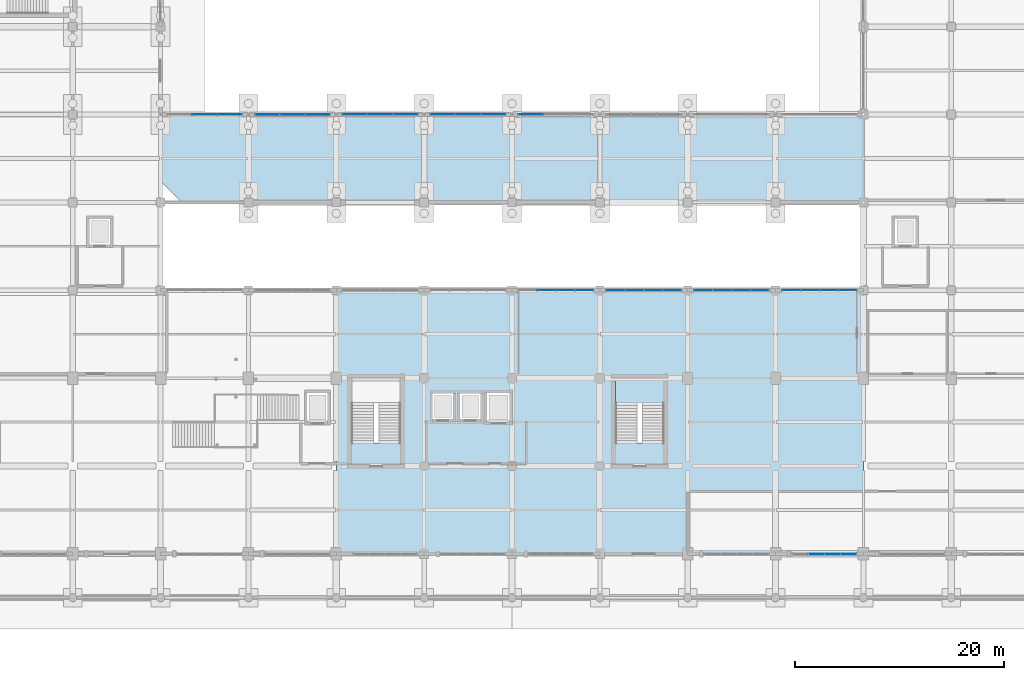
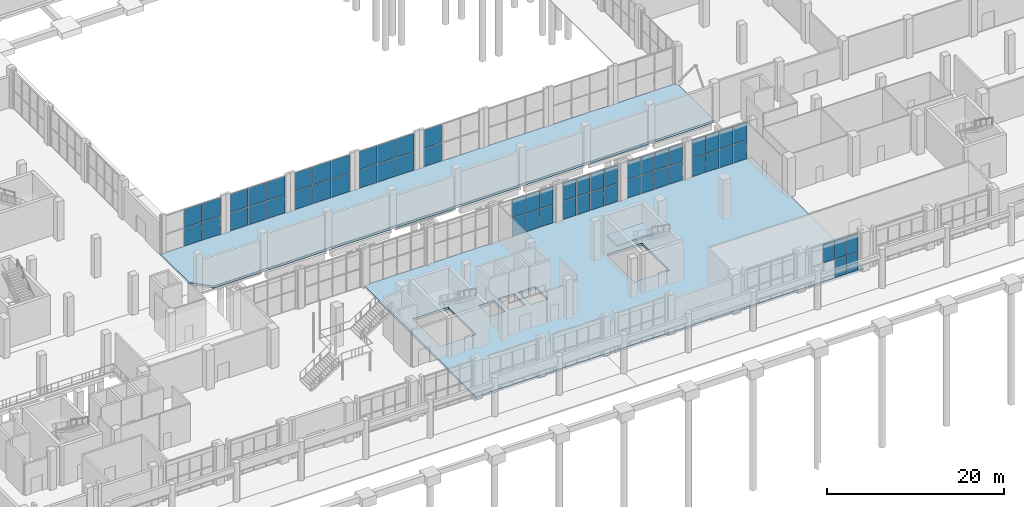
# One storey, part 56 of 82: 59 plates, 3 slabs, 11 elements without a shape of their own.
"""IFC4 building model written with IfcOpenShell, lengths in metres."""

from ifc_helpers import new_model, si_unit, derived_unit, direction, frame, origin, origin_2d, place, context, subcontext, project, spatial, polyline, rectangle, outline, extrude, material, layer, layer_set, type_object, element, aggregate, save


model = new_model("IFC4")

# Units and contexts
model_context = context("Model", 3, precision=1e-05, world=origin(), true_north=direction((0.0, 1.0)))
body_context = subcontext(model_context, "Body", "Model", "MODEL_VIEW")
ifc_project = project(units=[si_unit("LENGTHUNIT", "METRE"), si_unit("AREAUNIT", "SQUARE_METRE"), si_unit("VOLUMEUNIT", "CUBIC_METRE"), si_unit("PLANEANGLEUNIT", "RADIAN"), si_unit("MASSUNIT", "GRAM", prefix="KILO"), derived_unit("THERMALTRANSMITTANCEUNIT", [(si_unit("POWERUNIT", "WATT"), 1), (si_unit("LENGTHUNIT", "METRE"), -2), (si_unit("THERMODYNAMICTEMPERATUREUNIT", "KELVIN"), -1)])], contexts=[model_context])

# Site, building, storey
site_placement = place(None, origin())
site = spatial("IfcSite", under=ifc_project, at=site_placement, CompositionType="ELEMENT")
building_placement = place(site_placement, origin())
building = spatial("IfcBuilding", under=site, at=building_placement, Name="Barrovel Congress Hotel", CompositionType="ELEMENT")
storey_placement = place(building_placement, origin())
storey = spatial("IfcBuildingStorey", under=building, at=storey_placement, Name="L00", CompositionType="ELEMENT", Elevation=0.0)

# Curtain wall, plates
ifc_material_1 = material(Name="Anodised Aluminium Alloy 6063-T6", Category="aluminium")
curtain_wall_type_1 = type_object("IfcCurtainWallType", Name="CW-ST-7200x4800", PredefinedType="USERDEFINED", material=ifc_material_1)
curtain_wall_1_placement = place(storey_placement, origin())
curtain_wall_1 = element("IfcCurtainWall", 1, at=curtain_wall_1_placement, inside=storey, type_object=curtain_wall_type_1, Name="CW:L00:S:14", ObjectType="STICK CURTAIN WALL", PredefinedType="USERDEFINED")
ifc_material_2 = material(Name="Double Low-E Insulated Glazing", Category="glass")
ifc_layer_1 = layer(ifc_material_2, 0.028076171875)
ifc_layer_set_1 = layer_set([ifc_layer_1], Name="Double Low-E Insulated Glazing")
plate_type_1 = type_object("IfcPlateType", Name="CWP-28", PredefinedType="CURTAIN_PANEL", material=ifc_layer_set_1)
plate_1_placement = place(storey_placement, frame((121.514892578125, 4.199951171875, 2.590087890625), z_axis=(0.0, 0.0, 1.0), x_axis=(1.0, 0.0, 0.0)))
plate_1 = element("IfcPlate", 2, at=plate_1_placement, type_object=plate_type_1, Name="CW:L00:S:14:P1-1", PredefinedType="CURTAIN_PANEL", context=body_context, shape_type="SweptSolid", body=[
    extrude(rectangle(XDim=1.469970703125, YDim=0.028076171875, at=origin_2d()), origin(), (0.0, 0.0, 1.0), 2.5),
])
plate_2_placement = place(storey_placement, frame((123.044921875, 4.199951171875, 0.030029296875), z_axis=(0.0, 0.0, 1.0), x_axis=(1.0, 0.0, 0.0)))
plate_2 = element("IfcPlate", 3, at=plate_2_placement, type_object=plate_type_1, Name="CW:L00:S:14:P2-0", PredefinedType="CURTAIN_PANEL", context=body_context, shape_type="SweptSolid", body=[
    extrude(rectangle(XDim=1.469970703125, YDim=0.028076171875, at=origin_2d()), origin(), (0.0, 0.0, 1.0), 2.5),
])
plate_3_placement = place(storey_placement, frame((123.044921875, 4.199951171875, 2.590087890625), z_axis=(0.0, 0.0, 1.0), x_axis=(1.0, 0.0, 0.0)))
plate_3 = element("IfcPlate", 4, at=plate_3_placement, type_object=plate_type_1, Name="CW:L00:S:14:P2-1", PredefinedType="CURTAIN_PANEL", context=body_context, shape_type="SweptSolid", body=[
    extrude(rectangle(XDim=1.469970703125, YDim=0.028076171875, at=origin_2d()), origin(), (0.0, 0.0, 1.0), 2.5),
])
plate_4_placement = place(storey_placement, frame((124.574951171875, 4.199951171875, 0.030029296875), z_axis=(0.0, 0.0, 1.0), x_axis=(1.0, 0.0, 0.0)))
plate_4 = element("IfcPlate", 5, at=plate_4_placement, type_object=plate_type_1, Name="CW:L00:S:14:P3-0", PredefinedType="CURTAIN_PANEL", context=body_context, shape_type="SweptSolid", body=[
    extrude(rectangle(XDim=1.469970703125, YDim=0.028076171875, at=origin_2d()), origin(), (0.0, 0.0, 1.0), 2.5),
])
plate_5_placement = place(storey_placement, frame((124.574951171875, 4.199951171875, 2.590087890625), z_axis=(0.0, 0.0, 1.0), x_axis=(1.0, 0.0, 0.0)))
plate_5 = element("IfcPlate", 6, at=plate_5_placement, type_object=plate_type_1, Name="CW:L00:S:14:P3-1", PredefinedType="CURTAIN_PANEL", context=body_context, shape_type="SweptSolid", body=[
    extrude(rectangle(XDim=1.469970703125, YDim=0.028076171875, at=origin_2d()), origin(), (0.0, 0.0, 1.0), 2.5),
])
aggregate(curtain_wall_1, [plate_1, plate_2, plate_3, plate_4, plate_5])

curtain_wall_2_placement = place(storey_placement, origin())
curtain_wall_2 = element("IfcCurtainWall", 7, at=curtain_wall_2_placement, inside=storey, type_object=curtain_wall_type_1, Name="CW:L00:CS:13", ObjectType="STICK CURTAIN WALL", PredefinedType="USERDEFINED")
plate_6_placement = place(storey_placement, frame((116.10009765625, 29.39990234375, 0.030029296875), z_axis=(0.0, 0.0, 1.0), x_axis=(-1.0, 0.0, 0.0)))
plate_6 = element("IfcPlate", 8, at=plate_6_placement, type_object=plate_type_1, Name="CW:L00:CS:13:P0-0", PredefinedType="CURTAIN_PANEL", context=body_context, shape_type="SweptSolid", body=[
    extrude(rectangle(XDim=1.739990234375, YDim=0.028076171875, at=origin_2d()), origin(), (0.0, 0.0, 1.0), 2.5),
])
plate_7_placement = place(storey_placement, frame((116.10009765625, 29.39990234375, 2.590087890625), z_axis=(0.0, 0.0, 1.0), x_axis=(-1.0, 0.0, 0.0)))
plate_7 = element("IfcPlate", 9, at=plate_7_placement, type_object=plate_type_1, Name="CW:L00:CS:13:P0-1", PredefinedType="CURTAIN_PANEL", context=body_context, shape_type="SweptSolid", body=[
    extrude(rectangle(XDim=1.739990234375, YDim=0.028076171875, at=origin_2d()), origin(), (0.0, 0.0, 1.0), 2.5),
])
plate_8_placement = place(storey_placement, frame((114.300048828125, 29.39990234375, 0.030029296875), z_axis=(0.0, 0.0, 1.0), x_axis=(-1.0, 0.0, 0.0)))
plate_8 = element("IfcPlate", 10, at=plate_8_placement, type_object=plate_type_1, Name="CW:L00:CS:13:P1-0", PredefinedType="CURTAIN_PANEL", context=body_context, shape_type="SweptSolid", body=[
    extrude(rectangle(XDim=1.739990234375, YDim=0.028076171875, at=origin_2d()), origin(), (0.0, 0.0, 1.0), 2.5),
])
plate_9_placement = place(storey_placement, frame((114.300048828125, 29.39990234375, 2.590087890625), z_axis=(0.0, 0.0, 1.0), x_axis=(-1.0, 0.0, 0.0)))
plate_9 = element("IfcPlate", 11, at=plate_9_placement, type_object=plate_type_1, Name="CW:L00:CS:13:P1-1", PredefinedType="CURTAIN_PANEL", context=body_context, shape_type="SweptSolid", body=[
    extrude(rectangle(XDim=1.739990234375, YDim=0.028076171875, at=origin_2d()), origin(), (0.0, 0.0, 1.0), 2.5),
])
plate_10_placement = place(storey_placement, frame((112.5, 29.39990234375, 0.030029296875), z_axis=(0.0, 0.0, 1.0), x_axis=(-1.0, 0.0, 0.0)))
plate_10 = element("IfcPlate", 12, at=plate_10_placement, type_object=plate_type_1, Name="CW:L00:CS:13:P2-0", PredefinedType="CURTAIN_PANEL", context=body_context, shape_type="SweptSolid", body=[
    extrude(rectangle(XDim=1.739990234375, YDim=0.028076171875, at=origin_2d()), origin(), (0.0, 0.0, 1.0), 2.5),
])
plate_11_placement = place(storey_placement, frame((112.5, 29.39990234375, 2.590087890625), z_axis=(0.0, 0.0, 1.0), x_axis=(-1.0, 0.0, 0.0)))
plate_11 = element("IfcPlate", 13, at=plate_11_placement, type_object=plate_type_1, Name="CW:L00:CS:13:P2-1", PredefinedType="CURTAIN_PANEL", context=body_context, shape_type="SweptSolid", body=[
    extrude(rectangle(XDim=1.739990234375, YDim=0.028076171875, at=origin_2d()), origin(), (0.0, 0.0, 1.0), 2.5),
])
plate_12_placement = place(storey_placement, frame((110.699951171875, 29.39990234375, 0.030029296875), z_axis=(0.0, 0.0, 1.0), x_axis=(-1.0, 0.0, 0.0)))
plate_12 = element("IfcPlate", 14, at=plate_12_placement, type_object=plate_type_1, Name="CW:L00:CS:13:P3-0", PredefinedType="CURTAIN_PANEL", context=body_context, shape_type="SweptSolid", body=[
    extrude(rectangle(XDim=1.739990234375, YDim=0.028076171875, at=origin_2d()), origin(), (0.0, 0.0, 1.0), 2.5),
])
plate_13_placement = place(storey_placement, frame((110.699951171875, 29.39990234375, 2.590087890625), z_axis=(0.0, 0.0, 1.0), x_axis=(-1.0, 0.0, 0.0)))
plate_13 = element("IfcPlate", 15, at=plate_13_placement, type_object=plate_type_1, Name="CW:L00:CS:13:P3-1", PredefinedType="CURTAIN_PANEL", context=body_context, shape_type="SweptSolid", body=[
    extrude(rectangle(XDim=1.739990234375, YDim=0.028076171875, at=origin_2d()), origin(), (0.0, 0.0, 1.0), 2.5),
])
aggregate(curtain_wall_2, [plate_6, plate_7, plate_8, plate_9, plate_10, plate_11, plate_12, plate_13])

curtain_wall_3_placement = place(storey_placement, origin())
curtain_wall_3 = element("IfcCurtainWall", 16, at=curtain_wall_3_placement, inside=storey, type_object=curtain_wall_type_1, Name="CW:L00:CS:11", ObjectType="STICK CURTAIN WALL", PredefinedType="USERDEFINED")
plate_14_placement = place(storey_placement, frame((99.300048828125, 29.39990234375, 0.030029296875), z_axis=(0.0, 0.0, 1.0), x_axis=(-1.0, 0.0, 0.0)))
plate_14 = element("IfcPlate", 17, at=plate_14_placement, type_object=plate_type_1, Name="CW:L00:CS:11:P0-0", PredefinedType="CURTAIN_PANEL", context=body_context, shape_type="SweptSolid", body=[
    extrude(rectangle(XDim=1.739990234375, YDim=0.028076171875, at=origin_2d()), origin(), (0.0, 0.0, 1.0), 2.5),
])
plate_15_placement = place(storey_placement, frame((99.300048828125, 29.39990234375, 2.590087890625), z_axis=(0.0, 0.0, 1.0), x_axis=(-1.0, 0.0, 0.0)))
plate_15 = element("IfcPlate", 18, at=plate_15_placement, type_object=plate_type_1, Name="CW:L00:CS:11:P0-1", PredefinedType="CURTAIN_PANEL", context=body_context, shape_type="SweptSolid", body=[
    extrude(rectangle(XDim=1.739990234375, YDim=0.028076171875, at=origin_2d()), origin(), (0.0, 0.0, 1.0), 2.5),
])
plate_16_placement = place(storey_placement, frame((97.5, 29.39990234375, 0.030029296875), z_axis=(0.0, 0.0, 1.0), x_axis=(-1.0, 0.0, 0.0)))
plate_16 = element("IfcPlate", 19, at=plate_16_placement, type_object=plate_type_1, Name="CW:L00:CS:11:P1-0", PredefinedType="CURTAIN_PANEL", context=body_context, shape_type="SweptSolid", body=[
    extrude(rectangle(XDim=1.739990234375, YDim=0.028076171875, at=origin_2d()), origin(), (0.0, 0.0, 1.0), 2.5),
])
plate_17_placement = place(storey_placement, frame((97.5, 29.39990234375, 2.590087890625), z_axis=(0.0, 0.0, 1.0), x_axis=(-1.0, 0.0, 0.0)))
plate_17 = element("IfcPlate", 20, at=plate_17_placement, type_object=plate_type_1, Name="CW:L00:CS:11:P1-1", PredefinedType="CURTAIN_PANEL", context=body_context, shape_type="SweptSolid", body=[
    extrude(rectangle(XDim=1.739990234375, YDim=0.028076171875, at=origin_2d()), origin(), (0.0, 0.0, 1.0), 2.5),
])
plate_18_placement = place(storey_placement, frame((95.699951171875, 29.39990234375, 0.030029296875), z_axis=(0.0, 0.0, 1.0), x_axis=(-1.0, 0.0, 0.0)))
plate_18 = element("IfcPlate", 21, at=plate_18_placement, type_object=plate_type_1, Name="CW:L00:CS:11:P2-0", PredefinedType="CURTAIN_PANEL", context=body_context, shape_type="SweptSolid", body=[
    extrude(rectangle(XDim=1.739990234375, YDim=0.028076171875, at=origin_2d()), origin(), (0.0, 0.0, 1.0), 2.5),
])
plate_19_placement = place(storey_placement, frame((95.699951171875, 29.39990234375, 2.590087890625), z_axis=(0.0, 0.0, 1.0), x_axis=(-1.0, 0.0, 0.0)))
plate_19 = element("IfcPlate", 22, at=plate_19_placement, type_object=plate_type_1, Name="CW:L00:CS:11:P2-1", PredefinedType="CURTAIN_PANEL", context=body_context, shape_type="SweptSolid", body=[
    extrude(rectangle(XDim=1.739990234375, YDim=0.028076171875, at=origin_2d()), origin(), (0.0, 0.0, 1.0), 2.5),
])
aggregate(curtain_wall_3, [plate_14, plate_15, plate_16, plate_17, plate_18, plate_19])

curtain_wall_type_2 = type_object("IfcCurtainWallType", Name="CW-ST-6400x4200", PredefinedType="USERDEFINED", material=ifc_material_1)
curtain_wall_4_placement = place(storey_placement, origin())
curtain_wall_4 = element("IfcCurtainWall", 23, at=curtain_wall_4_placement, inside=storey, type_object=curtain_wall_type_2, Name="CW:L00:CL:07", ObjectType="STICK CURTAIN WALL", PredefinedType="USERDEFINED")
plate_20_placement = place(storey_placement, frame((65.39990234375, 46.199951171875, 0.030029296875), z_axis=(0.0, 0.0, 1.0), x_axis=(-1.0, 0.0, 0.0)))
plate_20 = element("IfcPlate", 24, at=plate_20_placement, type_object=plate_type_1, Name="CW:L00:CL:07:P0-0", PredefinedType="CURTAIN_PANEL", context=body_context, shape_type="SweptSolid", body=[
    extrude(rectangle(XDim=2.340087890625, YDim=0.028076171875, at=origin_2d()), origin(), (0.0, 0.0, 1.0), 2.5),
])
plate_21_placement = place(storey_placement, frame((65.39990234375, 46.199951171875, 2.590087890625), z_axis=(0.0, 0.0, 1.0), x_axis=(-1.0, 0.0, 0.0)))
plate_21 = element("IfcPlate", 25, at=plate_21_placement, type_object=plate_type_1, Name="CW:L00:CL:07:P0-1", PredefinedType="CURTAIN_PANEL", context=body_context, shape_type="SweptSolid", body=[
    extrude(rectangle(XDim=2.340087890625, YDim=0.028076171875, at=origin_2d()), origin(), (0.0, 0.0, 1.0), 2.5),
])
plate_22_placement = place(storey_placement, frame((63.0, 46.199951171875, 0.030029296875), z_axis=(0.0, 0.0, 1.0), x_axis=(-1.0, 0.0, 0.0)))
plate_22 = element("IfcPlate", 26, at=plate_22_placement, type_object=plate_type_1, Name="CW:L00:CL:07:P1-0", PredefinedType="CURTAIN_PANEL", context=body_context, shape_type="SweptSolid", body=[
    extrude(rectangle(XDim=2.340087890625, YDim=0.028076171875, at=origin_2d()), origin(), (0.0, 0.0, 1.0), 2.5),
])
plate_23_placement = place(storey_placement, frame((63.0, 46.199951171875, 2.590087890625), z_axis=(0.0, 0.0, 1.0), x_axis=(-1.0, 0.0, 0.0)))
plate_23 = element("IfcPlate", 27, at=plate_23_placement, type_object=plate_type_1, Name="CW:L00:CL:07:P1-1", PredefinedType="CURTAIN_PANEL", context=body_context, shape_type="SweptSolid", body=[
    extrude(rectangle(XDim=2.340087890625, YDim=0.028076171875, at=origin_2d()), origin(), (0.0, 0.0, 1.0), 2.5),
])
aggregate(curtain_wall_4, [plate_20, plate_21, plate_22, plate_23])

curtain_wall_5_placement = place(storey_placement, origin())
curtain_wall_5 = element("IfcCurtainWall", 28, at=curtain_wall_5_placement, inside=storey, type_object=curtain_wall_type_2, Name="CW:L00:CL:09", ObjectType="STICK CURTAIN WALL", PredefinedType="USERDEFINED")
plate_24_placement = place(storey_placement, frame((82.199951171875, 46.199951171875, 0.030029296875), z_axis=(0.0, 0.0, 1.0), x_axis=(-1.0, 0.0, 0.0)))
plate_24 = element("IfcPlate", 29, at=plate_24_placement, type_object=plate_type_1, Name="CW:L00:CL:09:P0-0", PredefinedType="CURTAIN_PANEL", context=body_context, shape_type="SweptSolid", body=[
    extrude(rectangle(XDim=2.340087890625, YDim=0.028076171875, at=origin_2d()), origin(), (0.0, 0.0, 1.0), 2.5),
])
plate_25_placement = place(storey_placement, frame((82.199951171875, 46.199951171875, 2.590087890625), z_axis=(0.0, 0.0, 1.0), x_axis=(-1.0, 0.0, 0.0)))
plate_25 = element("IfcPlate", 30, at=plate_25_placement, type_object=plate_type_1, Name="CW:L00:CL:09:P0-1", PredefinedType="CURTAIN_PANEL", context=body_context, shape_type="SweptSolid", body=[
    extrude(rectangle(XDim=2.340087890625, YDim=0.028076171875, at=origin_2d()), origin(), (0.0, 0.0, 1.0), 2.5),
])
plate_26_placement = place(storey_placement, frame((79.800048828125, 46.199951171875, 0.030029296875), z_axis=(0.0, 0.0, 1.0), x_axis=(-1.0, 0.0, 0.0)))
plate_26 = element("IfcPlate", 31, at=plate_26_placement, type_object=plate_type_1, Name="CW:L00:CL:09:P1-0", PredefinedType="CURTAIN_PANEL", context=body_context, shape_type="SweptSolid", body=[
    extrude(rectangle(XDim=2.340087890625, YDim=0.028076171875, at=origin_2d()), origin(), (0.0, 0.0, 1.0), 2.5),
])
plate_27_placement = place(storey_placement, frame((79.800048828125, 46.199951171875, 2.590087890625), z_axis=(0.0, 0.0, 1.0), x_axis=(-1.0, 0.0, 0.0)))
plate_27 = element("IfcPlate", 32, at=plate_27_placement, type_object=plate_type_1, Name="CW:L00:CL:09:P1-1", PredefinedType="CURTAIN_PANEL", context=body_context, shape_type="SweptSolid", body=[
    extrude(rectangle(XDim=2.340087890625, YDim=0.028076171875, at=origin_2d()), origin(), (0.0, 0.0, 1.0), 2.5),
])
plate_28_placement = place(storey_placement, frame((77.39990234375, 46.199951171875, 0.030029296875), z_axis=(0.0, 0.0, 1.0), x_axis=(-1.0, 0.0, 0.0)))
plate_28 = element("IfcPlate", 33, at=plate_28_placement, type_object=plate_type_1, Name="CW:L00:CL:09:P2-0", PredefinedType="CURTAIN_PANEL", context=body_context, shape_type="SweptSolid", body=[
    extrude(rectangle(XDim=2.340087890625, YDim=0.028076171875, at=origin_2d()), origin(), (0.0, 0.0, 1.0), 2.5),
])
plate_29_placement = place(storey_placement, frame((77.39990234375, 46.199951171875, 2.590087890625), z_axis=(0.0, 0.0, 1.0), x_axis=(-1.0, 0.0, 0.0)))
plate_29 = element("IfcPlate", 34, at=plate_29_placement, type_object=plate_type_1, Name="CW:L00:CL:09:P2-1", PredefinedType="CURTAIN_PANEL", context=body_context, shape_type="SweptSolid", body=[
    extrude(rectangle(XDim=2.340087890625, YDim=0.028076171875, at=origin_2d()), origin(), (0.0, 0.0, 1.0), 2.5),
])
aggregate(curtain_wall_5, [plate_24, plate_25, plate_26, plate_27, plate_28, plate_29])

curtain_wall_6_placement = place(storey_placement, origin())
curtain_wall_6 = element("IfcCurtainWall", 35, at=curtain_wall_6_placement, inside=storey, type_object=curtain_wall_type_2, Name="CW:L00:CL:11", ObjectType="STICK CURTAIN WALL", PredefinedType="USERDEFINED")
plate_30_placement = place(storey_placement, frame((94.199951171875, 46.199951171875, 0.030029296875), z_axis=(0.0, 0.0, 1.0), x_axis=(-1.0, 0.0, 0.0)))
plate_30 = element("IfcPlate", 36, at=plate_30_placement, type_object=plate_type_1, Name="CW:L00:CL:11:P2-0", PredefinedType="CURTAIN_PANEL", context=body_context, shape_type="SweptSolid", body=[
    extrude(rectangle(XDim=2.340087890625, YDim=0.028076171875, at=origin_2d()), origin(), (0.0, 0.0, 1.0), 2.5),
])
plate_31_placement = place(storey_placement, frame((94.199951171875, 46.199951171875, 2.590087890625), z_axis=(0.0, 0.0, 1.0), x_axis=(-1.0, 0.0, 0.0)))
plate_31 = element("IfcPlate", 37, at=plate_31_placement, type_object=plate_type_1, Name="CW:L00:CL:11:P2-1", PredefinedType="CURTAIN_PANEL", context=body_context, shape_type="SweptSolid", body=[
    extrude(rectangle(XDim=2.340087890625, YDim=0.028076171875, at=origin_2d()), origin(), (0.0, 0.0, 1.0), 2.5),
])
aggregate(curtain_wall_6, [plate_30, plate_31])

curtain_wall_7_placement = place(storey_placement, origin())
curtain_wall_7 = element("IfcCurtainWall", 38, at=curtain_wall_7_placement, inside=storey, type_object=curtain_wall_type_1, Name="CW:L00:CS:14", ObjectType="STICK CURTAIN WALL", PredefinedType="USERDEFINED")
ifc_layer_2 = layer(ifc_material_2, 0.031982421875)
ifc_layer_set_2 = layer_set([ifc_layer_2], Name="Double Low-E Insulated Glazing")
plate_type_2 = type_object("IfcPlateType", Name="CWP-32", PredefinedType="CURTAIN_PANEL", material=ifc_layer_set_2)
plate_32_placement = place(storey_placement, frame((124.5, 29.39990234375, 0.030029296875), z_axis=(0.0, 0.0, 1.0), x_axis=(-1.0, 0.0, 0.0)))
plate_32 = element("IfcPlate", 39, at=plate_32_placement, type_object=plate_type_2, Name="CW:L00:CS:14:P0-0", PredefinedType="CURTAIN_PANEL", context=body_context, shape_type="SweptSolid", body=[
    extrude(rectangle(XDim=1.739990234375, YDim=0.031982421875, at=origin_2d()), origin(), (0.0, 0.0, 1.0), 2.5),
])
plate_33_placement = place(storey_placement, frame((124.5, 29.39990234375, 2.590087890625), z_axis=(0.0, 0.0, 1.0), x_axis=(-1.0, 0.0, 0.0)))
plate_33 = element("IfcPlate", 40, at=plate_33_placement, type_object=plate_type_2, Name="CW:L00:CS:14:P0-1", PredefinedType="CURTAIN_PANEL", context=body_context, shape_type="SweptSolid", body=[
    extrude(rectangle(XDim=1.739990234375, YDim=0.031982421875, at=origin_2d()), origin(), (0.0, 0.0, 1.0), 2.5),
])
plate_34_placement = place(storey_placement, frame((122.699951171875, 29.39990234375, 0.030029296875), z_axis=(0.0, 0.0, 1.0), x_axis=(-1.0, 0.0, 0.0)))
plate_34 = element("IfcPlate", 41, at=plate_34_placement, type_object=plate_type_2, Name="CW:L00:CS:14:P1-0", PredefinedType="CURTAIN_PANEL", context=body_context, shape_type="SweptSolid", body=[
    extrude(rectangle(XDim=1.739990234375, YDim=0.031982421875, at=origin_2d()), origin(), (0.0, 0.0, 1.0), 2.5),
])
plate_35_placement = place(storey_placement, frame((122.699951171875, 29.39990234375, 2.590087890625), z_axis=(0.0, 0.0, 1.0), x_axis=(-1.0, 0.0, 0.0)))
plate_35 = element("IfcPlate", 42, at=plate_35_placement, type_object=plate_type_2, Name="CW:L00:CS:14:P1-1", PredefinedType="CURTAIN_PANEL", context=body_context, shape_type="SweptSolid", body=[
    extrude(rectangle(XDim=1.739990234375, YDim=0.031982421875, at=origin_2d()), origin(), (0.0, 0.0, 1.0), 2.5),
])
plate_36_placement = place(storey_placement, frame((120.89990234375, 29.39990234375, 0.030029296875), z_axis=(0.0, 0.0, 1.0), x_axis=(-1.0, 0.0, 0.0)))
plate_36 = element("IfcPlate", 43, at=plate_36_placement, type_object=plate_type_2, Name="CW:L00:CS:14:P2-0", PredefinedType="CURTAIN_PANEL", context=body_context, shape_type="SweptSolid", body=[
    extrude(rectangle(XDim=1.739990234375, YDim=0.031982421875, at=origin_2d()), origin(), (0.0, 0.0, 1.0), 2.5),
])
plate_37_placement = place(storey_placement, frame((120.89990234375, 29.39990234375, 2.590087890625), z_axis=(0.0, 0.0, 1.0), x_axis=(-1.0, 0.0, 0.0)))
plate_37 = element("IfcPlate", 44, at=plate_37_placement, type_object=plate_type_2, Name="CW:L00:CS:14:P2-1", PredefinedType="CURTAIN_PANEL", context=body_context, shape_type="SweptSolid", body=[
    extrude(rectangle(XDim=1.739990234375, YDim=0.031982421875, at=origin_2d()), origin(), (0.0, 0.0, 1.0), 2.5),
])
plate_38_placement = place(storey_placement, frame((119.10009765625, 29.39990234375, 0.030029296875), z_axis=(0.0, 0.0, 1.0), x_axis=(-1.0, 0.0, 0.0)))
plate_38 = element("IfcPlate", 45, at=plate_38_placement, type_object=plate_type_2, Name="CW:L00:CS:14:P3-0", PredefinedType="CURTAIN_PANEL", context=body_context, shape_type="SweptSolid", body=[
    extrude(rectangle(XDim=1.739990234375, YDim=0.031982421875, at=origin_2d()), origin(), (0.0, 0.0, 1.0), 2.5),
])
plate_39_placement = place(storey_placement, frame((119.10009765625, 29.39990234375, 2.590087890625), z_axis=(0.0, 0.0, 1.0), x_axis=(-1.0, 0.0, 0.0)))
plate_39 = element("IfcPlate", 46, at=plate_39_placement, type_object=plate_type_2, Name="CW:L00:CS:14:P3-1", PredefinedType="CURTAIN_PANEL", context=body_context, shape_type="SweptSolid", body=[
    extrude(rectangle(XDim=1.739990234375, YDim=0.031982421875, at=origin_2d()), origin(), (0.0, 0.0, 1.0), 2.5),
])
aggregate(curtain_wall_7, [plate_32, plate_33, plate_34, plate_35, plate_36, plate_37, plate_38, plate_39])

curtain_wall_8_placement = place(storey_placement, origin())
curtain_wall_8 = element("IfcCurtainWall", 47, at=curtain_wall_8_placement, inside=storey, type_object=curtain_wall_type_1, Name="CW:L00:CS:12", ObjectType="STICK CURTAIN WALL", PredefinedType="USERDEFINED")
plate_40_placement = place(storey_placement, frame((107.699951171875, 29.39990234375, 0.030029296875), z_axis=(0.0, 0.0, 1.0), x_axis=(-1.0, 0.0, 0.0)))
plate_40 = element("IfcPlate", 48, at=plate_40_placement, type_object=plate_type_2, Name="CW:L00:CS:12:P0-0", PredefinedType="CURTAIN_PANEL", context=body_context, shape_type="SweptSolid", body=[
    extrude(rectangle(XDim=1.739990234375, YDim=0.031982421875, at=origin_2d()), origin(), (0.0, 0.0, 1.0), 2.5),
])
plate_41_placement = place(storey_placement, frame((107.699951171875, 29.39990234375, 2.590087890625), z_axis=(0.0, 0.0, 1.0), x_axis=(-1.0, 0.0, 0.0)))
plate_41 = element("IfcPlate", 49, at=plate_41_placement, type_object=plate_type_2, Name="CW:L00:CS:12:P0-1", PredefinedType="CURTAIN_PANEL", context=body_context, shape_type="SweptSolid", body=[
    extrude(rectangle(XDim=1.739990234375, YDim=0.031982421875, at=origin_2d()), origin(), (0.0, 0.0, 1.0), 2.5),
])
plate_42_placement = place(storey_placement, frame((105.89990234375, 29.39990234375, 0.030029296875), z_axis=(0.0, 0.0, 1.0), x_axis=(-1.0, 0.0, 0.0)))
plate_42 = element("IfcPlate", 50, at=plate_42_placement, type_object=plate_type_2, Name="CW:L00:CS:12:P1-0", PredefinedType="CURTAIN_PANEL", context=body_context, shape_type="SweptSolid", body=[
    extrude(rectangle(XDim=1.739990234375, YDim=0.031982421875, at=origin_2d()), origin(), (0.0, 0.0, 1.0), 2.5),
])
plate_43_placement = place(storey_placement, frame((105.89990234375, 29.39990234375, 2.590087890625), z_axis=(0.0, 0.0, 1.0), x_axis=(-1.0, 0.0, 0.0)))
plate_43 = element("IfcPlate", 51, at=plate_43_placement, type_object=plate_type_2, Name="CW:L00:CS:12:P1-1", PredefinedType="CURTAIN_PANEL", context=body_context, shape_type="SweptSolid", body=[
    extrude(rectangle(XDim=1.739990234375, YDim=0.031982421875, at=origin_2d()), origin(), (0.0, 0.0, 1.0), 2.5),
])
plate_44_placement = place(storey_placement, frame((104.10009765625, 29.39990234375, 0.030029296875), z_axis=(0.0, 0.0, 1.0), x_axis=(-1.0, 0.0, 0.0)))
plate_44 = element("IfcPlate", 52, at=plate_44_placement, type_object=plate_type_2, Name="CW:L00:CS:12:P2-0", PredefinedType="CURTAIN_PANEL", context=body_context, shape_type="SweptSolid", body=[
    extrude(rectangle(XDim=1.739990234375, YDim=0.031982421875, at=origin_2d()), origin(), (0.0, 0.0, 1.0), 2.5),
])
plate_45_placement = place(storey_placement, frame((104.10009765625, 29.39990234375, 2.590087890625), z_axis=(0.0, 0.0, 1.0), x_axis=(-1.0, 0.0, 0.0)))
plate_45 = element("IfcPlate", 53, at=plate_45_placement, type_object=plate_type_2, Name="CW:L00:CS:12:P2-1", PredefinedType="CURTAIN_PANEL", context=body_context, shape_type="SweptSolid", body=[
    extrude(rectangle(XDim=1.739990234375, YDim=0.031982421875, at=origin_2d()), origin(), (0.0, 0.0, 1.0), 2.5),
])
plate_46_placement = place(storey_placement, frame((102.300048828125, 29.39990234375, 0.030029296875), z_axis=(0.0, 0.0, 1.0), x_axis=(-1.0, 0.0, 0.0)))
plate_46 = element("IfcPlate", 54, at=plate_46_placement, type_object=plate_type_2, Name="CW:L00:CS:12:P3-0", PredefinedType="CURTAIN_PANEL", context=body_context, shape_type="SweptSolid", body=[
    extrude(rectangle(XDim=1.739990234375, YDim=0.031982421875, at=origin_2d()), origin(), (0.0, 0.0, 1.0), 2.5),
])
plate_47_placement = place(storey_placement, frame((102.300048828125, 29.39990234375, 2.590087890625), z_axis=(0.0, 0.0, 1.0), x_axis=(-1.0, 0.0, 0.0)))
plate_47 = element("IfcPlate", 55, at=plate_47_placement, type_object=plate_type_2, Name="CW:L00:CS:12:P3-1", PredefinedType="CURTAIN_PANEL", context=body_context, shape_type="SweptSolid", body=[
    extrude(rectangle(XDim=1.739990234375, YDim=0.031982421875, at=origin_2d()), origin(), (0.0, 0.0, 1.0), 2.5),
])
aggregate(curtain_wall_8, [plate_40, plate_41, plate_42, plate_43, plate_44, plate_45, plate_46, plate_47])

curtain_wall_9_placement = place(storey_placement, origin())
curtain_wall_9 = element("IfcCurtainWall", 56, at=curtain_wall_9_placement, inside=storey, type_object=curtain_wall_type_2, Name="CW:L00:CL:08", ObjectType="STICK CURTAIN WALL", PredefinedType="USERDEFINED")
plate_48_placement = place(storey_placement, frame((73.800048828125, 46.199951171875, 0.030029296875), z_axis=(0.0, 0.0, 1.0), x_axis=(-1.0, 0.0, 0.0)))
plate_48 = element("IfcPlate", 57, at=plate_48_placement, type_object=plate_type_2, Name="CW:L00:CL:08:P0-0", PredefinedType="CURTAIN_PANEL", context=body_context, shape_type="SweptSolid", body=[
    extrude(rectangle(XDim=2.340087890625, YDim=0.031982421875, at=origin_2d()), origin(), (0.0, 0.0, 1.0), 2.5),
])
plate_49_placement = place(storey_placement, frame((73.800048828125, 46.199951171875, 2.590087890625), z_axis=(0.0, 0.0, 1.0), x_axis=(-1.0, 0.0, 0.0)))
plate_49 = element("IfcPlate", 58, at=plate_49_placement, type_object=plate_type_2, Name="CW:L00:CL:08:P0-1", PredefinedType="CURTAIN_PANEL", context=body_context, shape_type="SweptSolid", body=[
    extrude(rectangle(XDim=2.340087890625, YDim=0.031982421875, at=origin_2d()), origin(), (0.0, 0.0, 1.0), 2.5),
])
plate_50_placement = place(storey_placement, frame((71.39990234375, 46.199951171875, 0.030029296875), z_axis=(0.0, 0.0, 1.0), x_axis=(-1.0, 0.0, 0.0)))
plate_50 = element("IfcPlate", 59, at=plate_50_placement, type_object=plate_type_2, Name="CW:L00:CL:08:P1-0", PredefinedType="CURTAIN_PANEL", context=body_context, shape_type="SweptSolid", body=[
    extrude(rectangle(XDim=2.340087890625, YDim=0.031982421875, at=origin_2d()), origin(), (0.0, 0.0, 1.0), 2.5),
])
plate_51_placement = place(storey_placement, frame((71.39990234375, 46.199951171875, 2.590087890625), z_axis=(0.0, 0.0, 1.0), x_axis=(-1.0, 0.0, 0.0)))
plate_51 = element("IfcPlate", 60, at=plate_51_placement, type_object=plate_type_2, Name="CW:L00:CL:08:P1-1", PredefinedType="CURTAIN_PANEL", context=body_context, shape_type="SweptSolid", body=[
    extrude(rectangle(XDim=2.340087890625, YDim=0.031982421875, at=origin_2d()), origin(), (0.0, 0.0, 1.0), 2.5),
])
plate_52_placement = place(storey_placement, frame((69.0, 46.199951171875, 0.030029296875), z_axis=(0.0, 0.0, 1.0), x_axis=(-1.0, 0.0, 0.0)))
plate_52 = element("IfcPlate", 61, at=plate_52_placement, type_object=plate_type_2, Name="CW:L00:CL:08:P2-0", PredefinedType="CURTAIN_PANEL", context=body_context, shape_type="SweptSolid", body=[
    extrude(rectangle(XDim=2.340087890625, YDim=0.031982421875, at=origin_2d()), origin(), (0.0, 0.0, 1.0), 2.5),
])
plate_53_placement = place(storey_placement, frame((69.0, 46.199951171875, 2.590087890625), z_axis=(0.0, 0.0, 1.0), x_axis=(-1.0, 0.0, 0.0)))
plate_53 = element("IfcPlate", 62, at=plate_53_placement, type_object=plate_type_2, Name="CW:L00:CL:08:P2-1", PredefinedType="CURTAIN_PANEL", context=body_context, shape_type="SweptSolid", body=[
    extrude(rectangle(XDim=2.340087890625, YDim=0.031982421875, at=origin_2d()), origin(), (0.0, 0.0, 1.0), 2.5),
])
aggregate(curtain_wall_9, [plate_48, plate_49, plate_50, plate_51, plate_52, plate_53])

curtain_wall_10_placement = place(storey_placement, origin())
curtain_wall_10 = element("IfcCurtainWall", 63, at=curtain_wall_10_placement, inside=storey, type_object=curtain_wall_type_2, Name="CW:L00:CL:10", ObjectType="STICK CURTAIN WALL", PredefinedType="USERDEFINED")
plate_54_placement = place(storey_placement, frame((90.60009765625, 46.199951171875, 0.030029296875), z_axis=(0.0, 0.0, 1.0), x_axis=(-1.0, 0.0, 0.0)))
plate_54 = element("IfcPlate", 64, at=plate_54_placement, type_object=plate_type_2, Name="CW:L00:CL:10:P0-0", PredefinedType="CURTAIN_PANEL", context=body_context, shape_type="SweptSolid", body=[
    extrude(rectangle(XDim=2.340087890625, YDim=0.031982421875, at=origin_2d()), origin(), (0.0, 0.0, 1.0), 2.5),
])
plate_55_placement = place(storey_placement, frame((90.60009765625, 46.199951171875, 2.590087890625), z_axis=(0.0, 0.0, 1.0), x_axis=(-1.0, 0.0, 0.0)))
plate_55 = element("IfcPlate", 65, at=plate_55_placement, type_object=plate_type_2, Name="CW:L00:CL:10:P0-1", PredefinedType="CURTAIN_PANEL", context=body_context, shape_type="SweptSolid", body=[
    extrude(rectangle(XDim=2.340087890625, YDim=0.031982421875, at=origin_2d()), origin(), (0.0, 0.0, 1.0), 2.5),
])
plate_56_placement = place(storey_placement, frame((88.199951171875, 46.199951171875, 0.030029296875), z_axis=(0.0, 0.0, 1.0), x_axis=(-1.0, 0.0, 0.0)))
plate_56 = element("IfcPlate", 66, at=plate_56_placement, type_object=plate_type_2, Name="CW:L00:CL:10:P1-0", PredefinedType="CURTAIN_PANEL", context=body_context, shape_type="SweptSolid", body=[
    extrude(rectangle(XDim=2.340087890625, YDim=0.031982421875, at=origin_2d()), origin(), (0.0, 0.0, 1.0), 2.5),
])
plate_57_placement = place(storey_placement, frame((88.199951171875, 46.199951171875, 2.590087890625), z_axis=(0.0, 0.0, 1.0), x_axis=(-1.0, 0.0, 0.0)))
plate_57 = element("IfcPlate", 67, at=plate_57_placement, type_object=plate_type_2, Name="CW:L00:CL:10:P1-1", PredefinedType="CURTAIN_PANEL", context=body_context, shape_type="SweptSolid", body=[
    extrude(rectangle(XDim=2.340087890625, YDim=0.031982421875, at=origin_2d()), origin(), (0.0, 0.0, 1.0), 2.5),
])
plate_58_placement = place(storey_placement, frame((85.800048828125, 46.199951171875, 0.030029296875), z_axis=(0.0, 0.0, 1.0), x_axis=(-1.0, 0.0, 0.0)))
plate_58 = element("IfcPlate", 68, at=plate_58_placement, type_object=plate_type_2, Name="CW:L00:CL:10:P2-0", PredefinedType="CURTAIN_PANEL", context=body_context, shape_type="SweptSolid", body=[
    extrude(rectangle(XDim=2.340087890625, YDim=0.031982421875, at=origin_2d()), origin(), (0.0, 0.0, 1.0), 2.5),
])
plate_59_placement = place(storey_placement, frame((85.800048828125, 46.199951171875, 2.590087890625), z_axis=(0.0, 0.0, 1.0), x_axis=(-1.0, 0.0, 0.0)))
plate_59 = element("IfcPlate", 69, at=plate_59_placement, type_object=plate_type_2, Name="CW:L00:CL:10:P2-1", PredefinedType="CURTAIN_PANEL", context=body_context, shape_type="SweptSolid", body=[
    extrude(rectangle(XDim=2.340087890625, YDim=0.031982421875, at=origin_2d()), origin(), (0.0, 0.0, 1.0), 2.5),
])
aggregate(curtain_wall_10, [plate_54, plate_55, plate_56, plate_57, plate_58, plate_59])

# Slabs
ifc_material_3 = material(Name="Concrete C35", Category="concrete")
ifc_layer_3 = layer(ifc_material_3, 0.320068359375)
ifc_layer_set_3 = layer_set([ifc_layer_3], Name="Concrete C35")
slab_type_1 = type_object("IfcSlabType", Name="SL-B320", PredefinedType="BASESLAB", material=ifc_layer_set_3)
slab_1_placement = place(storey_placement, frame((0.0, 0.0, -0.320068359375)))
element("IfcSlab", 70, at=slab_1_placement, inside=storey, type_object=slab_type_1, Name="SLAB:L00:V4-2", PredefinedType="BASESLAB", context=body_context, shape_type="SweptSolid", body=[
    extrude(outline(polyline([(75.60009765625, 4.199951171875), (126.0, 4.199951171875), (126.0, 29.39990234375), (75.60009765625, 29.39990234375), (75.60009765625, 4.199951171875)]), holes=[polyline([(77.10009765625, 14.780029296875), (77.10009765625, 21.0), (81.699951171875, 21.0), (81.699951171875, 14.780029296875), (77.10009765625, 14.780029296875)]), polyline([(102.300048828125, 14.780029296875), (102.300048828125, 21.0), (106.89990234375, 21.0), (106.89990234375, 14.780029296875), (102.300048828125, 14.780029296875)]), polyline([(84.800048828125, 17.050048828125), (84.800048828125, 19.550048828125), (86.800048828125, 19.550048828125), (86.800048828125, 17.050048828125), (84.800048828125, 17.050048828125)]), polyline([(87.39990234375, 17.050048828125), (87.39990234375, 19.550048828125), (89.39990234375, 19.550048828125), (89.39990234375, 17.050048828125), (87.39990234375, 17.050048828125)]), polyline([(90.0, 16.800048828125), (90.0, 19.60009765625), (92.199951171875, 19.60009765625), (92.199951171875, 16.800048828125), (90.0, 16.800048828125)])]), origin(), (0.0, 0.0, 1.0), 0.320068359375),
])
slab_2_placement = place(storey_placement, frame((0.0, 0.0, -0.320068359375)))
element("IfcSlab", 71, at=slab_2_placement, inside=storey, type_object=slab_type_1, Name="SLAB:L00:V5-CLOISTER", PredefinedType="BASESLAB", context=body_context, shape_type="SweptSolid", body=[
    extrude(outline(polyline([(60.800048828125, 37.800048828125), (126.0, 37.800048828125), (126.0, 46.199951171875), (58.800048828125, 46.199951171875), (58.800048828125, 39.800048828125), (60.800048828125, 37.800048828125)])), origin(), (0.0, 0.0, 1.0), 0.320068359375),
])

# Stair, slab
ifc_material_4 = material(Name="Concrete C40", Category="concrete")
stair_type = type_object("IfcStairType", Name="STR-2Q-540", PredefinedType="TWO_QUARTER_TURN_STAIR", material=ifc_material_4)
stair_placement = place(storey_placement, origin())
stair = element("IfcStair", 72, at=stair_placement, inside=storey, type_object=stair_type, Name="Exit Stair XS-03 (L00)", PredefinedType="TWO_QUARTER_TURN_STAIR")
ifc_layer_4 = layer(ifc_material_4, 0.22998046875)
ifc_layer_set_4 = layer_set([ifc_layer_4], Name="Concrete C40")
slab_type_2 = type_object("IfcSlabType", Name="SL-LDG-230", PredefinedType="LANDING", material=ifc_layer_set_4)
slab_3_placement = place(storey_placement, frame((0.0, 0.0, 2.469970703125)))
slab_3 = element("IfcSlab", 73, at=slab_3_placement, type_object=slab_type_2, Name="STAIR:XS-03:L00:LDG", PredefinedType="LANDING", context=body_context, shape_type="SweptSolid", body=[
    extrude(outline(polyline([(102.280029296875, 18.6298828125), (106.919921875, 18.6298828125), (106.919921875, 21.02001953125), (102.280029296875, 21.02001953125), (102.280029296875, 18.6298828125)])), origin(), (0.0, 0.0, 1.0), 0.22998046875),
])
aggregate(stair, [slab_3])

save(model, "model.ifc")
